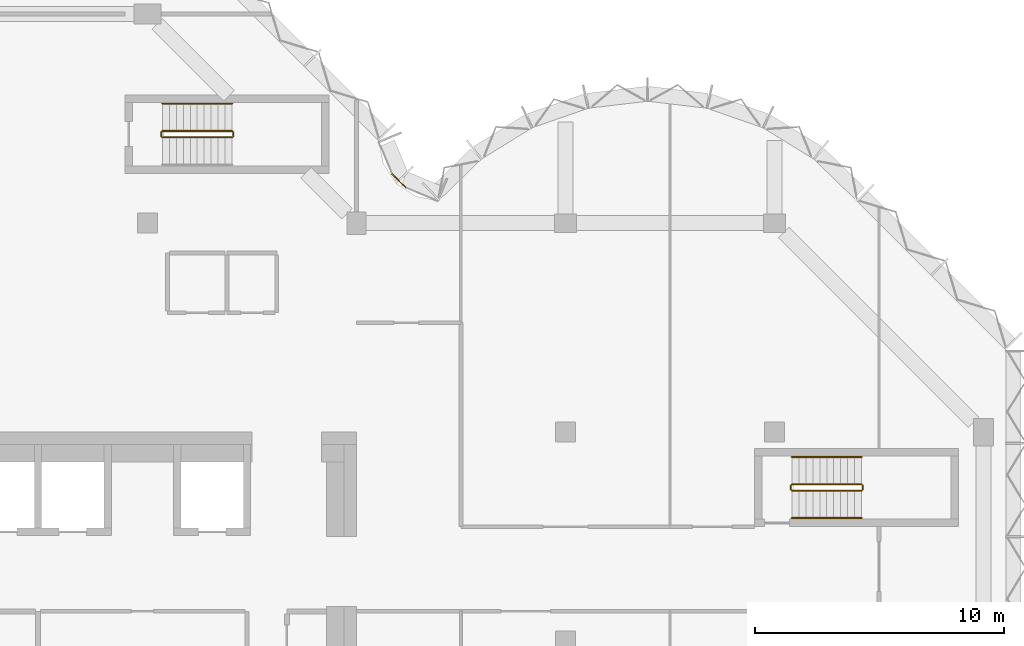
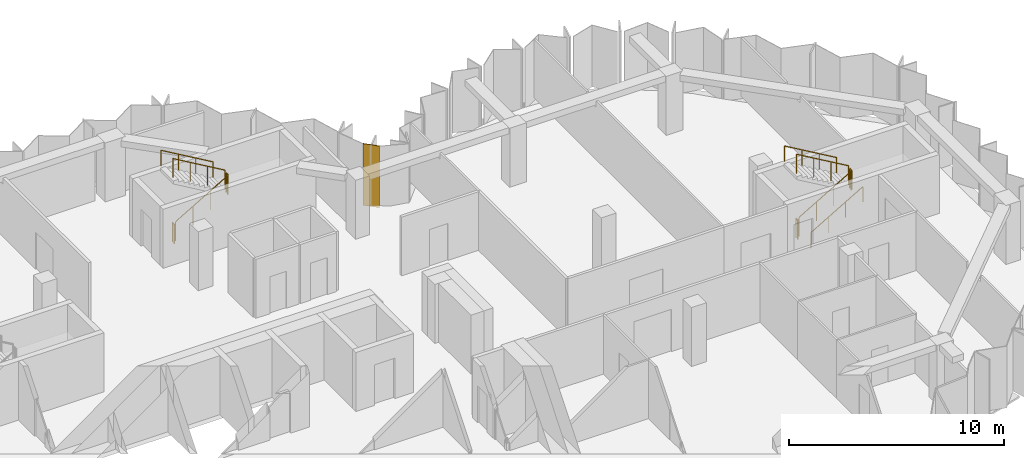
# One storey, part 9 of 9: 11 railings, 1 covering, 1 element without a shape of its own.
"""IFC4 building model written with IfcOpenShell, lengths in metres."""

from ifc_helpers import new_model, si_unit, direction, frame, origin, origin_2d, place, context, subcontext, project, spatial, polyline, circle, outline, extrude, material, layer, layer_set, type_object, element, aggregate, save


model = new_model("IFC4")

# Units and contexts
model_context = context("Model", 3, precision=1e-05, world=origin(), true_north=direction((0.0, 1.0)))
body_context = subcontext(model_context, "Body", "Model", "MODEL_VIEW")
ifc_project = project(units=[si_unit("LENGTHUNIT", "METRE"), si_unit("AREAUNIT", "SQUARE_METRE"), si_unit("VOLUMEUNIT", "CUBIC_METRE"), si_unit("PLANEANGLEUNIT", "RADIAN"), si_unit("MASSUNIT", "GRAM", prefix="KILO")], contexts=[model_context])

# Site, building, storey
site_placement = place(None, origin())
site = spatial("IfcSite", under=ifc_project, at=site_placement, CompositionType="ELEMENT")
building_placement = place(site_placement, origin())
building = spatial("IfcBuilding", under=site, at=building_placement, Name="Brevane Broadcast Tower", CompositionType="ELEMENT")
storey_placement = place(building_placement, frame((0.0, 0.0, 226.5)))
storey = spatial("IfcBuildingStorey", under=building, at=storey_placement, Name="L57", CompositionType="ELEMENT", Elevation=226.5)

# Railings
ifc_material_1 = material(Name="Steel S355", Category="steel")
railing_type_1 = type_object("IfcRailingType", Name="Exit stair guard", PredefinedType="GUARDRAIL", material=ifc_material_1)
railing_1_placement = place(storey_placement, frame((17.39990234375, 28.64990234375, 0.16357421875)))
element("IfcRailing", 1, at=railing_1_placement, inside=storey, type_object=railing_type_1, Name="L57 ST-3 stair guard 1", PredefinedType="GUARDRAIL", context=body_context, shape_type="SweptSolid", body=[
    extrude(circle(Radius=0.02392578125, at=origin_2d()), frame((0.0, 0.0, 1.076171875), z_axis=(0.863360870873, 0.0, 0.504586966384), x_axis=(0.0, 1.0, 0.0)), (0.0, 0.0, 1.0), 3.2431640625),
    extrude(circle(Radius=0.02099609375, at=origin_2d()), origin(), (0.0, 0.0, 1.0), 1.052001953125),
    extrude(circle(Radius=0.02099609375, at=origin_2d()), frame((0.933349609375, 0.0, 0.54541015625)), (0.0, 0.0, 1.0), 1.052001953125),
    extrude(circle(Radius=0.02099609375, at=origin_2d()), frame((1.86669921875, 0.0, 1.091064453125)), (0.0, 0.0, 1.0), 1.052001953125),
    extrude(circle(Radius=0.02099609375, at=origin_2d()), frame((2.800048828125, 0.0, 1.636474609375)), (0.0, 0.0, 1.0), 1.052001953125),
])
railing_2_placement = place(storey_placement, frame((20.25, 28.699951171875, 1.800048828125)))
element("IfcRailing", 2, at=railing_2_placement, inside=storey, type_object=railing_type_1, Name="L57 ST-3 stair guard 2", PredefinedType="GUARDRAIL", context=body_context, shape_type="SweptSolid", body=[
    extrude(circle(Radius=0.02392578125, at=origin_2d()), frame((0.0, 0.0, 1.076171875), z_axis=(0.0, 1.0, 0.0), x_axis=(-1.0, 0.0, 0.0)), (0.0, 0.0, 1.0), 0.150146484375),
    extrude(circle(Radius=0.02099609375, at=origin_2d()), origin(), (0.0, 0.0, 1.0), 1.052001953125),
    extrude(circle(Radius=0.02099609375, at=origin_2d()), frame((0.0, 0.150146484375, 0.0)), (0.0, 0.0, 1.0), 1.052001953125),
])
railing_3_placement = place(storey_placement, frame((20.199951171875, 28.89990234375, 1.963623046875)))
element("IfcRailing", 3, at=railing_3_placement, inside=storey, type_object=railing_type_1, Name="L57 ST-3 stair guard 3", PredefinedType="GUARDRAIL", context=body_context, shape_type="SweptSolid", body=[
    extrude(circle(Radius=0.02392578125, at=origin_2d()), frame((0.0, 0.0, 1.076171875), z_axis=(-0.863360870873, 0.0, 0.504586966384), x_axis=(0.0, -1.0, 0.0)), (0.0, 0.0, 1.0), 3.2431640625),
    extrude(circle(Radius=0.02099609375, at=origin_2d()), origin(), (0.0, 0.0, 1.0), 1.052001953125),
    extrude(circle(Radius=0.02099609375, at=origin_2d()), frame((-0.933349609375, 0.0, 0.54541015625)), (0.0, 0.0, 1.0), 1.052001953125),
    extrude(circle(Radius=0.02099609375, at=origin_2d()), frame((-1.86669921875, 0.0, 1.091064453125)), (0.0, 0.0, 1.0), 1.052001953125),
    extrude(circle(Radius=0.02099609375, at=origin_2d()), frame((-2.800048828125, 0.0, 1.636474609375)), (0.0, 0.0, 1.0), 1.052001953125),
])
railing_4_placement = place(storey_placement, frame((17.35009765625, 28.699951171875, 0.0)))
element("IfcRailing", 4, at=railing_4_placement, inside=storey, type_object=railing_type_1, Name="L57 ST-3 stair guard 4", PredefinedType="GUARDRAIL", context=body_context, shape_type="SweptSolid", body=[
    extrude(circle(Radius=0.02392578125, at=origin_2d()), frame((0.0, 0.0, 1.076171875), z_axis=(0.0, 1.0, 0.0), x_axis=(-1.0, 0.0, 0.0)), (0.0, 0.0, 1.0), 0.150146484375),
    extrude(circle(Radius=0.02099609375, at=origin_2d()), origin(), (0.0, 0.0, 1.0), 1.052001953125),
    extrude(circle(Radius=0.02099609375, at=origin_2d()), frame((0.0, 0.150146484375, 0.0)), (0.0, 0.0, 1.0), 1.052001953125),
])
railing_5_placement = place(storey_placement, frame((42.699951171875, 14.449951171875, 0.16357421875)))
element("IfcRailing", 5, at=railing_5_placement, inside=storey, type_object=railing_type_1, Name="L57 ST-4 stair guard 1", PredefinedType="GUARDRAIL", context=body_context, shape_type="SweptSolid", body=[
    extrude(circle(Radius=0.02392578125, at=origin_2d()), frame((0.0, 0.0, 1.076171875), z_axis=(0.863360870873, 0.0, 0.504586966384), x_axis=(0.0, 1.0, 0.0)), (0.0, 0.0, 1.0), 3.2431640625),
    extrude(circle(Radius=0.02099609375, at=origin_2d()), origin(), (0.0, 0.0, 1.0), 1.052001953125),
    extrude(circle(Radius=0.02099609375, at=origin_2d()), frame((0.933349609375, 0.0, 0.54541015625)), (0.0, 0.0, 1.0), 1.052001953125),
    extrude(circle(Radius=0.02099609375, at=origin_2d()), frame((1.86669921875, 0.0, 1.091064453125)), (0.0, 0.0, 1.0), 1.052001953125),
    extrude(circle(Radius=0.02099609375, at=origin_2d()), frame((2.800048828125, 0.0, 1.636474609375)), (0.0, 0.0, 1.0), 1.052001953125),
])
railing_6_placement = place(storey_placement, frame((45.550048828125, 14.5, 1.800048828125)))
element("IfcRailing", 6, at=railing_6_placement, inside=storey, type_object=railing_type_1, Name="L57 ST-4 stair guard 2", PredefinedType="GUARDRAIL", context=body_context, shape_type="SweptSolid", body=[
    extrude(circle(Radius=0.02392578125, at=origin_2d()), frame((0.0, 0.0, 1.076171875), z_axis=(0.0, 1.0, 0.0), x_axis=(-1.0, 0.0, 0.0)), (0.0, 0.0, 1.0), 0.14990234375),
    extrude(circle(Radius=0.02099609375, at=origin_2d()), origin(), (0.0, 0.0, 1.0), 1.052001953125),
    extrude(circle(Radius=0.02099609375, at=origin_2d()), frame((0.0, 0.14990234375, 0.0)), (0.0, 0.0, 1.0), 1.052001953125),
])
railing_7_placement = place(storey_placement, frame((45.5, 14.699951171875, 1.963623046875)))
element("IfcRailing", 7, at=railing_7_placement, inside=storey, type_object=railing_type_1, Name="L57 ST-4 stair guard 3", PredefinedType="GUARDRAIL", context=body_context, shape_type="SweptSolid", body=[
    extrude(circle(Radius=0.02392578125, at=origin_2d()), frame((0.0, 0.0, 1.076171875), z_axis=(-0.863360870873, 0.0, 0.504586966384), x_axis=(0.0, -1.0, 0.0)), (0.0, 0.0, 1.0), 3.2431640625),
    extrude(circle(Radius=0.02099609375, at=origin_2d()), origin(), (0.0, 0.0, 1.0), 1.052001953125),
    extrude(circle(Radius=0.02099609375, at=origin_2d()), frame((-0.933349609375, 0.0, 0.54541015625)), (0.0, 0.0, 1.0), 1.052001953125),
    extrude(circle(Radius=0.02099609375, at=origin_2d()), frame((-1.86669921875, 0.0, 1.091064453125)), (0.0, 0.0, 1.0), 1.052001953125),
    extrude(circle(Radius=0.02099609375, at=origin_2d()), frame((-2.800048828125, 0.0, 1.636474609375)), (0.0, 0.0, 1.0), 1.052001953125),
])
railing_8_placement = place(storey_placement, frame((42.64990234375, 14.5, 0.0)))
element("IfcRailing", 8, at=railing_8_placement, inside=storey, type_object=railing_type_1, Name="L57 ST-4 stair guard 4", PredefinedType="GUARDRAIL", context=body_context, shape_type="SweptSolid", body=[
    extrude(circle(Radius=0.02392578125, at=origin_2d()), frame((0.0, 0.0, 1.076171875), z_axis=(0.0, 1.0, 0.0), x_axis=(-1.0, 0.0, 0.0)), (0.0, 0.0, 1.0), 0.14990234375),
    extrude(circle(Radius=0.02099609375, at=origin_2d()), origin(), (0.0, 0.0, 1.0), 1.052001953125),
    extrude(circle(Radius=0.02099609375, at=origin_2d()), frame((0.0, 0.14990234375, 0.0)), (0.0, 0.0, 1.0), 1.052001953125),
])
railing_type_2 = type_object("IfcRailingType", Name="Exit stair handrail", PredefinedType="HANDRAIL", material=ifc_material_1)
railing_9_placement = place(storey_placement, frame((20.199951171875, 30.0, 1.963623046875)))
element("IfcRailing", 9, at=railing_9_placement, inside=storey, type_object=railing_type_2, Name="L57 ST-3 stair handrail 2", PredefinedType="HANDRAIL", context=body_context, shape_type="SweptSolid", body=[
    extrude(circle(Radius=0.02392578125, at=origin_2d()), frame((0.0, 0.0, 0.8759765625), z_axis=(-0.863360870873, 0.0, 0.504586966384), x_axis=(0.0, -1.0, 0.0)), (0.0, 0.0, 1.0), 3.2431640625),
    extrude(circle(Radius=0.02099609375, at=origin_2d()), origin(), (0.0, 0.0, 1.0), 0.851806640625),
    extrude(circle(Radius=0.02099609375, at=origin_2d()), frame((-0.933349609375, 0.0, 0.54541015625)), (0.0, 0.0, 1.0), 0.851806640625),
    extrude(circle(Radius=0.02099609375, at=origin_2d()), frame((-1.86669921875, 0.0, 1.091064453125)), (0.0, 0.0, 1.0), 0.851806640625),
    extrude(circle(Radius=0.02099609375, at=origin_2d()), frame((-2.800048828125, 0.0, 1.636474609375)), (0.0, 0.0, 1.0), 0.851806640625),
])
railing_10_placement = place(storey_placement, frame((42.699951171875, 13.35009765625, 0.16357421875)))
element("IfcRailing", 10, at=railing_10_placement, inside=storey, type_object=railing_type_2, Name="L57 ST-4 stair handrail 1", PredefinedType="HANDRAIL", context=body_context, shape_type="SweptSolid", body=[
    extrude(circle(Radius=0.02392578125, at=origin_2d()), frame((0.0, 0.0, 0.8759765625), z_axis=(0.863360870873, 0.0, 0.504586966384), x_axis=(0.0, 1.0, 0.0)), (0.0, 0.0, 1.0), 3.2431640625),
    extrude(circle(Radius=0.02099609375, at=origin_2d()), origin(), (0.0, 0.0, 1.0), 0.851806640625),
    extrude(circle(Radius=0.02099609375, at=origin_2d()), frame((0.933349609375, 0.0, 0.54541015625)), (0.0, 0.0, 1.0), 0.851806640625),
    extrude(circle(Radius=0.02099609375, at=origin_2d()), frame((1.86669921875, 0.0, 1.091064453125)), (0.0, 0.0, 1.0), 0.851806640625),
    extrude(circle(Radius=0.02099609375, at=origin_2d()), frame((2.800048828125, 0.0, 1.636474609375)), (0.0, 0.0, 1.0), 0.851806640625),
])
railing_11_placement = place(storey_placement, frame((45.5, 15.800048828125, 1.963623046875)))
element("IfcRailing", 11, at=railing_11_placement, inside=storey, type_object=railing_type_2, Name="L57 ST-4 stair handrail 2", PredefinedType="HANDRAIL", context=body_context, shape_type="SweptSolid", body=[
    extrude(circle(Radius=0.02392578125, at=origin_2d()), frame((0.0, 0.0, 0.8759765625), z_axis=(-0.863360870873, 0.0, 0.504586966384), x_axis=(0.0, -1.0, 0.0)), (0.0, 0.0, 1.0), 3.2431640625),
    extrude(circle(Radius=0.02099609375, at=origin_2d()), origin(), (0.0, 0.0, 1.0), 0.851806640625),
    extrude(circle(Radius=0.02099609375, at=origin_2d()), frame((-0.933349609375, 0.0, 0.54541015625)), (0.0, 0.0, 1.0), 0.851806640625),
    extrude(circle(Radius=0.02099609375, at=origin_2d()), frame((-1.86669921875, 0.0, 1.091064453125)), (0.0, 0.0, 1.0), 0.851806640625),
    extrude(circle(Radius=0.02099609375, at=origin_2d()), frame((-2.800048828125, 0.0, 1.636474609375)), (0.0, 0.0, 1.0), 0.851806640625),
])

# Curtain wall, covering
ifc_material_2 = material(Name="Aluminium 6063-T6 bronze anodised", Category="aluminium")
curtain_wall_type = type_object("IfcCurtainWallType", Name="CW-1 curtain wall", PredefinedType="NOTDEFINED", material=ifc_material_2)
curtain_wall_placement = place(storey_placement, origin())
curtain_wall = element("IfcCurtainWall", 12, at=curtain_wall_placement, inside=storey, type_object=curtain_wall_type, Name="CW-1 typical tilted unit L57 inner corner", PredefinedType="NOTDEFINED")
ifc_material_3 = material(Name="Back-painted bronze glass shadow-box", Category="glass")
ifc_layer = layer(ifc_material_3, 0.0400390625)
ifc_layer_set = layer_set([ifc_layer], Name="Shadow-box panel 40")
covering_type = type_object("IfcCoveringType", Name="Shadow-box panel 40", PredefinedType="CLADDING", material=ifc_layer_set)
covering_placement = place(storey_placement, frame((0.0, 0.0, -0.14990234375)))
covering = element("IfcCovering", 13, at=covering_placement, type_object=covering_type, Name="Closure panel", PredefinedType="CLADDING", context=body_context, shape_type="SweptSolid", body=[
    extrude(outline(polyline([(27.17138671875, 26.60498046875), (27.2021484375, 26.635498046875), (26.635498046875, 27.2021484375), (26.60498046875, 27.17138671875), (27.17138671875, 26.60498046875)])), origin(), (0.0, 0.0, 1.0), 3.5),
])
aggregate(curtain_wall, [covering])

save(model, "model.ifc")
